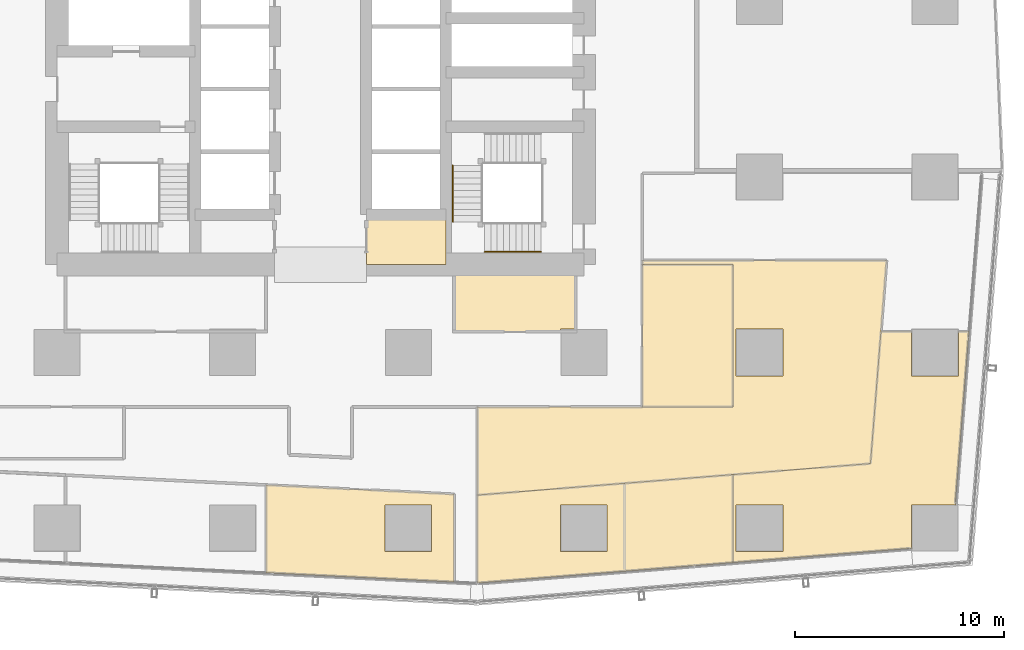
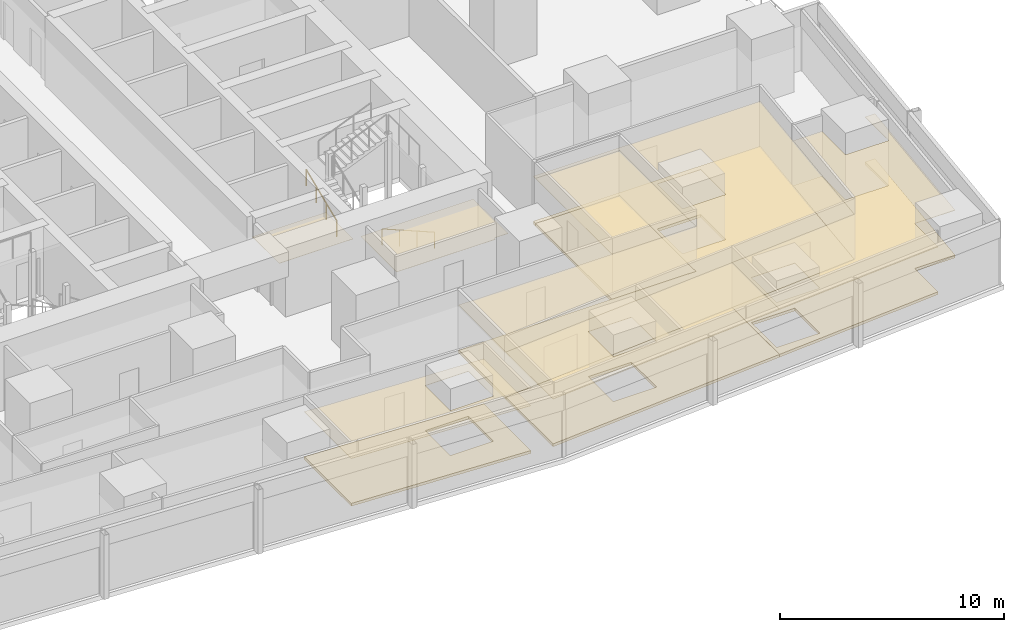
# One storey, part 36 of 42: 12 coverings, 2 railings.
"""IFC4 building model written with IfcOpenShell, lengths in metres."""

from ifc_helpers import new_model, si_unit, direction, frame, origin, origin_2d, place, context, subcontext, project, spatial, polyline, circle, outline, extrude, material, layer, layer_set, type_object, element, save


model = new_model("IFC4")

# Units and contexts
model_context = context("Model", 3, precision=1e-05, world=origin(), true_north=direction((0.0, 1.0)))
body_context = subcontext(model_context, "Body", "Model", "MODEL_VIEW")
ifc_project = project(units=[si_unit("LENGTHUNIT", "METRE"), si_unit("AREAUNIT", "SQUARE_METRE"), si_unit("VOLUMEUNIT", "CUBIC_METRE"), si_unit("PLANEANGLEUNIT", "RADIAN"), si_unit("MASSUNIT", "GRAM", prefix="KILO")], contexts=[model_context])

# Site, building, storey
site_placement = place(None, origin())
site = spatial("IfcSite", under=ifc_project, at=site_placement, CompositionType="ELEMENT")
building_placement = place(site_placement, origin())
building = spatial("IfcBuilding", under=site, at=building_placement, Name="Rekha Terrace Tower", CompositionType="ELEMENT")
storey_placement = place(building_placement, frame((0.0, 0.0, 40.39990234375)))
storey = spatial("IfcBuildingStorey", under=building, at=storey_placement, Name="L09", CompositionType="ELEMENT", Elevation=40.39990234375)

# Coverings
ifc_material_1 = material(Name="Mineral fibre tile in exposed grid", Category="finish")
ifc_layer_1 = layer(ifc_material_1, 0.02001953125)
ifc_layer_set_1 = layer_set([ifc_layer_1], Name="Mineral fibre tile in exposed grid")
covering_type_1 = type_object("IfcCoveringType", Name="CL1 600x1200 office grid ceiling", PredefinedType="CEILING", material=ifc_layer_set_1)
covering_1_placement = place(storey_placement, frame((0.0, 0.0, 2.580078125)))
element("IfcCovering", 1, at=covering_1_placement, inside=storey, type_object=covering_type_1, Name="Ceiling L09-02", PredefinedType="CEILING", context=body_context, shape_type="SweptSolid", body=[
    extrude(outline(polyline([(52.346923828125, 10.5419921875), (45.304931640625, 9.97802734375), (45.304931640625, 5.764892578125), (52.344970703125, 6.3291015625), (57.52587890625, 6.743896484375), (57.52587890625, 10.95703125), (52.346923828125, 10.5419921875)]), holes=[polyline([(51.514892578125, 7.284912109375), (49.284912109375, 7.284912109375), (49.284912109375, 9.514892578125), (51.514892578125, 9.514892578125), (51.514892578125, 7.284912109375)])]), origin(), (0.0, 0.0, 1.0), 0.02001953125),
])
covering_2_placement = place(storey_placement, frame((0.0, 0.0, 2.580078125)))
element("IfcCovering", 2, at=covering_2_placement, inside=storey, type_object=covering_type_1, Name="Ceiling L09-03", PredefinedType="CEILING", context=body_context, shape_type="SweptSolid", body=[
    extrude(outline(polyline([(66.0849609375, 15.68505859375), (66.0849609375, 17.801025390625), (64.612060546875, 17.801025390625), (64.111083984375, 11.485107421875), (57.527099609375, 10.95703125), (57.527099609375, 6.743896484375), (66.0849609375, 7.428955078125), (66.0849609375, 9.514892578125), (68.16796875, 9.514892578125), (68.825927734375, 17.801025390625), (68.31494140625, 17.801025390625), (68.31494140625, 15.68505859375), (66.0849609375, 15.68505859375)]), holes=[polyline([(59.9150390625, 7.284912109375), (57.68505859375, 7.284912109375), (57.68505859375, 9.514892578125), (59.9150390625, 9.514892578125), (59.9150390625, 7.284912109375)])]), origin(), (0.0, 0.0, 1.0), 0.02001953125),
])
covering_3_placement = place(storey_placement, frame((0.0, 0.0, 2.580078125)))
element("IfcCovering", 3, at=covering_3_placement, inside=storey, type_object=covering_type_1, Name="Ceiling L09-05", PredefinedType="CEILING", context=body_context, shape_type="SweptSolid", body=[
    extrude(outline(polyline([(53.199951171875, 14.199951171875), (57.52587890625, 14.199951171875), (57.52587890625, 21.0), (53.199951171875, 21.0), (53.199951171875, 14.199951171875)])), origin(), (0.0, 0.0, 1.0), 0.02001953125),
])
covering_4_placement = place(storey_placement, frame((0.0, 0.0, 2.580078125)))
element("IfcCovering", 4, at=covering_4_placement, inside=storey, type_object=covering_type_1, Name="Ceiling L09-O1", PredefinedType="CEILING", context=body_context, shape_type="SweptSolid", body=[
    extrude(outline(polyline([(45.304931640625, 14.199951171875), (45.304931640625, 9.97802734375), (52.361083984375, 10.54296875), (57.5419921875, 10.9580078125), (64.111083984375, 11.485107421875), (64.612060546875, 17.801025390625), (64.613037109375, 17.801025390625), (64.882080078125, 21.201904296875), (53.199951171875, 21.201904296875), (53.199951171875, 21.0), (57.52587890625, 21.0), (57.52587890625, 14.199951171875), (45.304931640625, 14.199951171875)]), holes=[polyline([(59.9150390625, 17.9150390625), (59.9150390625, 15.68505859375), (57.68505859375, 15.68505859375), (57.68505859375, 17.9150390625), (59.9150390625, 17.9150390625)])]), origin(), (0.0, 0.0, 1.0), 0.02001953125),
])
covering_5_placement = place(storey_placement, frame((0.0, 0.0, 2.580078125)))
element("IfcCovering", 5, at=covering_5_placement, inside=storey, type_object=covering_type_1, Name="Ceiling L09-13", PredefinedType="CEILING", context=body_context, shape_type="SweptSolid", body=[
    extrude(outline(polyline([(35.199951171875, 10.4619140625), (35.199951171875, 6.257080078125), (44.197021484375, 5.81494140625), (44.197021484375, 10.02001953125), (35.199951171875, 10.4619140625)]), holes=[polyline([(43.114990234375, 7.284912109375), (40.885009765625, 7.284912109375), (40.885009765625, 9.514892578125), (43.114990234375, 9.514892578125), (43.114990234375, 7.284912109375)])]), origin(), (0.0, 0.0, 1.0), 0.02001953125),
])
ifc_material_2 = material(Name="Fibre cement board", Category="finish")
ifc_layer_2 = layer(ifc_material_2, 0.014892578125)
ifc_layer_set_2 = layer_set([ifc_layer_2], Name="Fibre cement board")
covering_type_2 = type_object("IfcCoveringType", Name="CL2 moisture-resistant board ceiling", PredefinedType="CEILING", material=ifc_layer_set_2)
covering_6_placement = place(storey_placement, frame((0.0, 0.0, 2.585205078125)))
element("IfcCovering", 6, at=covering_6_placement, inside=storey, type_object=covering_type_2, Name="Ceiling L09-WCA", PredefinedType="CEILING", context=body_context, shape_type="SweptSolid", body=[
    extrude(outline(polyline([(43.800048828125, 23.39990234375), (40.0, 23.39990234375), (40.0, 21.0), (43.800048828125, 21.0), (43.800048828125, 23.39990234375)])), origin(), (0.0, 0.0, 1.0), 0.014892578125),
])
covering_7_placement = place(storey_placement, frame((0.0, 0.0, 2.585205078125)))
element("IfcCovering", 7, at=covering_7_placement, inside=storey, type_object=covering_type_2, Name="Ceiling L09-WCM2", PredefinedType="CEILING", context=body_context, shape_type="SweptSolid", body=[
    extrude(outline(polyline([(50.0, 21.0), (44.199951171875, 21.0), (44.199951171875, 17.800048828125), (49.284912109375, 17.800048828125), (49.284912109375, 17.9150390625), (50.0, 17.9150390625), (50.0, 21.0)])), origin(), (0.0, 0.0, 1.0), 0.014892578125),
])

# Railings
ifc_material_3 = material(Name="Stainless steel tube", Category="steel")
railing_type = type_object("IfcRailingType", Name="HR1 900 stair handrail", PredefinedType="HANDRAIL", material=ifc_material_3)
railing_1_placement = place(storey_placement, frame((48.35009765625, 21.610107421875, 0.125)))
element("IfcRailing", 8, at=railing_1_placement, inside=storey, type_object=railing_type, Name="Handrail ST3 L09 flight 1", PredefinedType="HANDRAIL", context=body_context, shape_type="SweptSolid", body=[
    extrude(circle(Radius=0.02392578125, at=origin_2d()), frame((0.0, 0.0, 0.8759765625), z_axis=(-0.923086799901, 0.0, 0.38459167938), x_axis=(0.0, -1.0, 0.0)), (0.0, 0.0, 1.0), 2.92529296875),
    extrude(circle(Radius=0.02099609375, at=origin_2d()), origin(), (0.0, 0.0, 1.0), 0.851806640625),
    extrude(circle(Radius=0.02099609375, at=origin_2d()), frame((-0.900146484375, 0.0, 0.375)), (0.0, 0.0, 1.0), 0.851806640625),
    extrude(circle(Radius=0.02099609375, at=origin_2d()), frame((-1.800048828125, 0.0, 0.75)), (0.0, 0.0, 1.0), 0.851806640625),
    extrude(circle(Radius=0.02099609375, at=origin_2d()), frame((-2.7001953125, 0.0, 1.125)), (0.0, 0.0, 1.0), 0.851806640625),
])
railing_2_placement = place(storey_placement, frame((44.135009765625, 23.050048828125, 1.375)))
element("IfcRailing", 9, at=railing_2_placement, inside=storey, type_object=railing_type, Name="Handrail ST3 L09 flight 2", PredefinedType="HANDRAIL", context=body_context, shape_type="SweptSolid", body=[
    extrude(circle(Radius=0.02392578125, at=origin_2d()), frame((0.0, 0.0, 0.8759765625), z_axis=(0.0, 0.923074453586, 0.384621311341), x_axis=(-1.0, 0.0, 0.0)), (0.0, 0.0, 1.0), 2.925048828125),
    extrude(circle(Radius=0.02099609375, at=origin_2d()), origin(), (0.0, 0.0, 1.0), 0.851806640625),
    extrude(circle(Radius=0.02099609375, at=origin_2d()), frame((0.0, 0.89990234375, 0.375)), (0.0, 0.0, 1.0), 0.851806640625),
    extrude(circle(Radius=0.02099609375, at=origin_2d()), frame((0.0, 1.800048828125, 0.75)), (0.0, 0.0, 1.0), 0.851806640625),
    extrude(circle(Radius=0.02099609375, at=origin_2d()), frame((0.0, 2.699951171875, 1.125)), (0.0, 0.0, 1.0), 0.851806640625),
])

# Coverings
ifc_material_4 = material(Name="Calcium sulphate panels on steel pedestals", Category="steel")
ifc_layer_3 = layer(ifc_material_4, 0.14990234375)
ifc_layer_set_3 = layer_set([ifc_layer_3], Name="Calcium sulphate panels on steel pedestals")
covering_type_3 = type_object("IfcCoveringType", Name="RF1 150 raised access floor", PredefinedType="FLOORING", material=ifc_layer_set_3)
covering_8_placement = place(storey_placement, origin())
element("IfcCovering", 10, at=covering_8_placement, inside=storey, type_object=covering_type_3, Name="Raised floor L09-02", PredefinedType="FLOORING", context=body_context, shape_type="SweptSolid", body=[
    extrude(outline(polyline([(52.346923828125, 10.5419921875), (45.304931640625, 9.97802734375), (45.304931640625, 5.764892578125), (52.344970703125, 6.3291015625), (57.52587890625, 6.743896484375), (57.52587890625, 10.95703125), (52.346923828125, 10.5419921875)]), holes=[polyline([(51.514892578125, 7.284912109375), (49.284912109375, 7.284912109375), (49.284912109375, 9.514892578125), (51.514892578125, 9.514892578125), (51.514892578125, 7.284912109375)])]), origin(), (0.0, 0.0, 1.0), 0.150146484375),
])
covering_9_placement = place(storey_placement, origin())
element("IfcCovering", 11, at=covering_9_placement, inside=storey, type_object=covering_type_3, Name="Raised floor L09-03", PredefinedType="FLOORING", context=body_context, shape_type="SweptSolid", body=[
    extrude(outline(polyline([(66.0849609375, 15.68505859375), (66.0849609375, 17.801025390625), (64.612060546875, 17.801025390625), (64.111083984375, 11.485107421875), (57.527099609375, 10.95703125), (57.527099609375, 6.743896484375), (66.0849609375, 7.428955078125), (66.0849609375, 9.514892578125), (68.16796875, 9.514892578125), (68.825927734375, 17.801025390625), (68.31494140625, 17.801025390625), (68.31494140625, 15.68505859375), (66.0849609375, 15.68505859375)]), holes=[polyline([(59.9150390625, 7.284912109375), (57.68505859375, 7.284912109375), (57.68505859375, 9.514892578125), (59.9150390625, 9.514892578125), (59.9150390625, 7.284912109375)])]), origin(), (0.0, 0.0, 1.0), 0.150146484375),
])
covering_10_placement = place(storey_placement, origin())
element("IfcCovering", 12, at=covering_10_placement, inside=storey, type_object=covering_type_3, Name="Raised floor L09-05", PredefinedType="FLOORING", context=body_context, shape_type="SweptSolid", body=[
    extrude(outline(polyline([(53.199951171875, 14.199951171875), (57.52587890625, 14.199951171875), (57.52587890625, 21.0), (53.199951171875, 21.0), (53.199951171875, 14.199951171875)])), origin(), (0.0, 0.0, 1.0), 0.150146484375),
])
covering_11_placement = place(storey_placement, origin())
element("IfcCovering", 13, at=covering_11_placement, inside=storey, type_object=covering_type_3, Name="Raised floor L09-O1", PredefinedType="FLOORING", context=body_context, shape_type="SweptSolid", body=[
    extrude(outline(polyline([(45.304931640625, 14.199951171875), (45.304931640625, 9.97802734375), (52.361083984375, 10.54296875), (57.5419921875, 10.9580078125), (64.111083984375, 11.485107421875), (64.612060546875, 17.801025390625), (64.613037109375, 17.801025390625), (64.882080078125, 21.201904296875), (53.199951171875, 21.201904296875), (53.199951171875, 21.0), (57.52587890625, 21.0), (57.52587890625, 14.199951171875), (45.304931640625, 14.199951171875)]), holes=[polyline([(59.9150390625, 17.9150390625), (59.9150390625, 15.68505859375), (57.68505859375, 15.68505859375), (57.68505859375, 17.9150390625), (59.9150390625, 17.9150390625)])]), origin(), (0.0, 0.0, 1.0), 0.150146484375),
])
covering_12_placement = place(storey_placement, origin())
element("IfcCovering", 14, at=covering_12_placement, inside=storey, type_object=covering_type_3, Name="Raised floor L09-13", PredefinedType="FLOORING", context=body_context, shape_type="SweptSolid", body=[
    extrude(outline(polyline([(35.199951171875, 10.4619140625), (35.199951171875, 6.257080078125), (44.197021484375, 5.81494140625), (44.197021484375, 10.02001953125), (35.199951171875, 10.4619140625)]), holes=[polyline([(43.114990234375, 7.284912109375), (40.885009765625, 7.284912109375), (40.885009765625, 9.514892578125), (43.114990234375, 9.514892578125), (43.114990234375, 7.284912109375)])]), origin(), (0.0, 0.0, 1.0), 0.150146484375),
])

save(model, "model.ifc")
